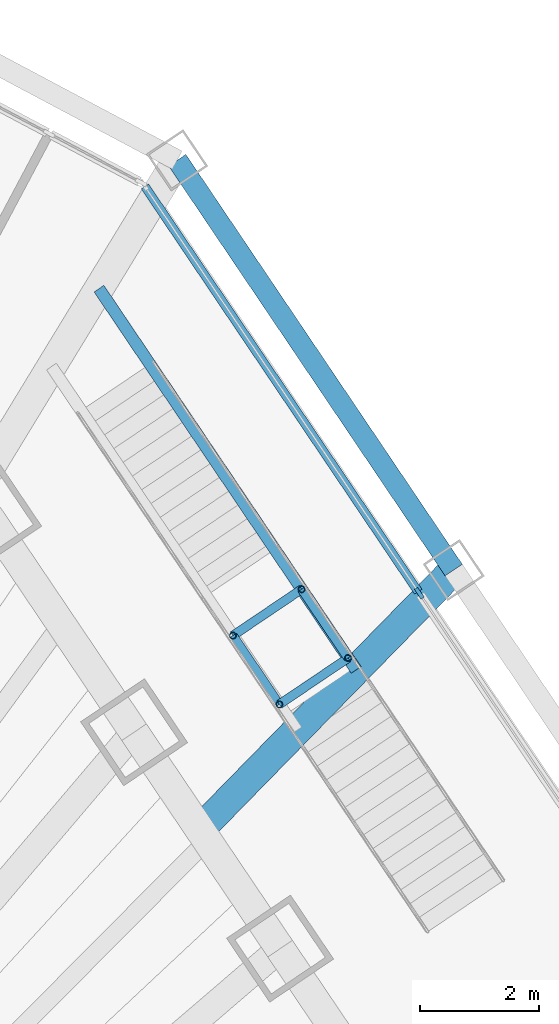
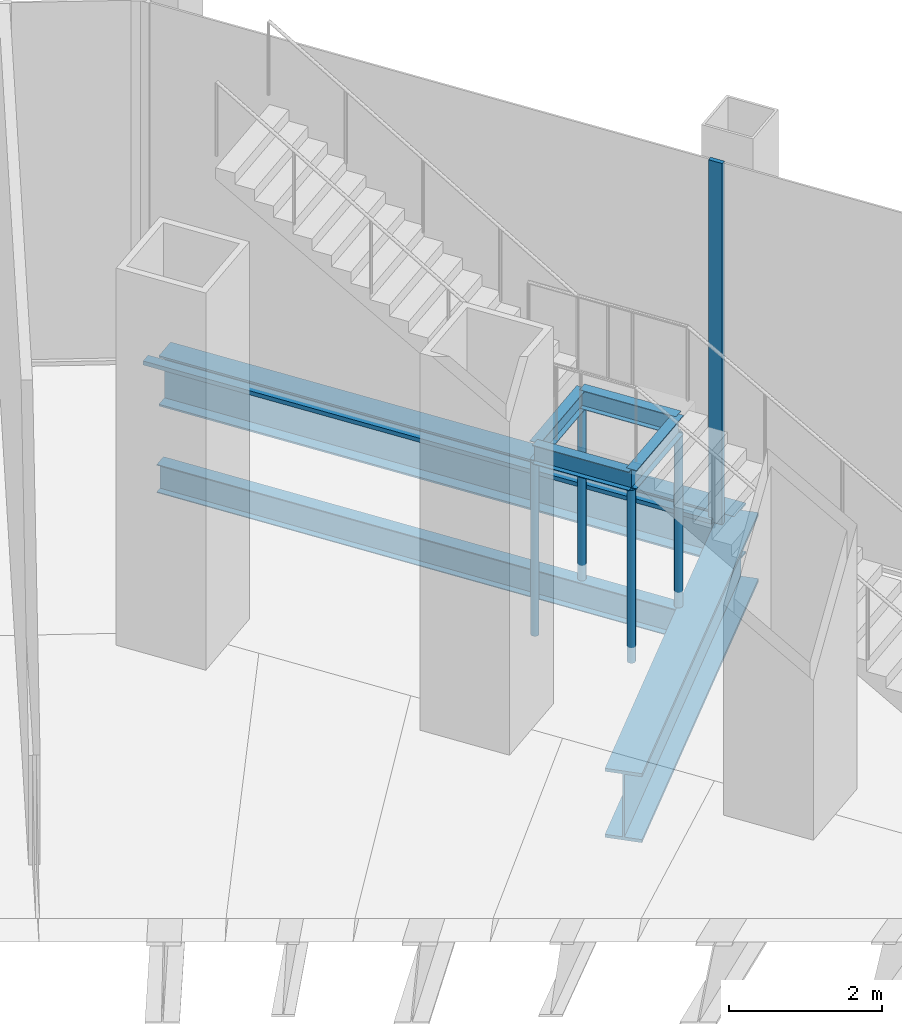
# One storey, part 12 of 23: 7 beams, 6 members, 1 element without a shape of its own.
"""IFC4 building model written with IfcOpenShell, lengths in metres."""

import ifcopenshell
import ifcopenshell.guid

model = None  # the IFC model being written
_history = None  # IfcOwnerHistory: only IFC2X3 demands one
_inside = {}  # id of a spatial element -> (the spatial element, [elements in it])
_under = {}  # id of a project, library or spatial element -> (it, [spatial elements below it])
_declared = {}  # id of a project -> (the project, [libraries it declares])
_typed = {}  # id of a type object -> (the type object, [elements of that type])
_made_of = {}  # id of a material, layer set ... -> (it, [elements and type objects made of it])


def new_model(schema):
    """Start an empty IFC model of exactly this schema.

    Asked for "IFC4X3", IfcOpenShell would pick the latest addendum, in which some entities
    have other attributes; the version numbers below select the first issue.
    IFC2X3 requires an IfcOwnerHistory on every rooted entity: one is made here for all.
    """
    global model, _history
    if schema == "IFC4X3":
        model = ifcopenshell.file(schema_version=(4, 3, 0, 0))
    else:
        model = ifcopenshell.file(schema=schema)
    _inside.clear()
    _under.clear()
    _declared.clear()
    _typed.clear()
    _made_of.clear()
    _history = None
    if model.schema == "IFC2X3":
        org = make("IfcOrganization", Name="unknown")
        user = make(
            "IfcPersonAndOrganization",
            ThePerson=make("IfcPerson", FamilyName="unknown"),
            TheOrganization=org,
        )
        app = make(
            "IfcApplication",
            ApplicationDeveloper=org,
            Version="unknown",
            ApplicationFullName="unknown",
            ApplicationIdentifier="unknown",
        )
        _history = make(
            "IfcOwnerHistory",
            OwningUser=user,
            OwningApplication=app,
            ChangeAction="ADDED",
            CreationDate=0,
        )
    return model


def make(cls, **values):
    """One entity of the class cls with the attributes given. An attribute that is None is left unset."""
    return model.create_entity(
        cls, **{name: value for name, value in values.items() if value is not None}
    )


def rooted(cls, **values):
    """An entity with a GlobalId (a new one), such as an element, a storey or a relation."""
    return make(cls, GlobalId=ifcopenshell.guid.new(), OwnerHistory=_history, **values)


def si_unit(unit_type, name, prefix=None):
    """IfcSIUnit, for example si_unit("LENGTHUNIT", "METRE", prefix="MILLI")."""
    return make("IfcSIUnit", UnitType=unit_type, Prefix=prefix, Name=name)


def assignment(units):
    """IfcUnitAssignment: the units of a project."""
    return None if units is None else make("IfcUnitAssignment", Units=units)


def point(xyz):
    """IfcCartesianPoint."""
    return None if xyz is None else make("IfcCartesianPoint", Coordinates=xyz)


def direction(xyz):
    """IfcDirection."""
    return None if xyz is None else make("IfcDirection", DirectionRatios=xyz)


def frame(location, z_axis=None, x_axis=None):
    """IfcAxis2Placement3D, a coordinate frame: its origin and axes. An axis left out is left unset."""
    return make(
        "IfcAxis2Placement3D",
        Location=point(location),
        Axis=direction(z_axis),
        RefDirection=direction(x_axis),
    )


def frame_2d(location, x_axis=None):
    """IfcAxis2Placement2D, a coordinate frame in the plane: its origin and x axis."""
    return make(
        "IfcAxis2Placement2D", Location=point(location), RefDirection=direction(x_axis)
    )


def origin():
    """The frame at (0, 0, 0) with its axes left unset."""
    return frame((0.0, 0.0, 0.0))


def origin_2d():
    """The frame at (0, 0) in the plane with its x axis left unset."""
    return frame_2d((0.0, 0.0))


def place(relative_to, where):
    """IfcLocalPlacement: puts the frame where relative to a parent placement (None: the world)."""
    return make(
        "IfcLocalPlacement", PlacementRelTo=relative_to, RelativePlacement=where
    )


def context(
    kind, dimensions, precision=None, world=None, true_north=None, identifier=None
):
    """IfcGeometricRepresentationContext, for example the 3D "Model" context."""
    return make(
        "IfcGeometricRepresentationContext",
        ContextIdentifier=identifier,
        ContextType=kind,
        CoordinateSpaceDimension=dimensions,
        Precision=precision,
        WorldCoordinateSystem=world,
        TrueNorth=true_north,
    )


def subcontext(parent, identifier, kind, view, scale=None):
    """IfcGeometricRepresentationSubContext, for example "Body" below "Model"."""
    return make(
        "IfcGeometricRepresentationSubContext",
        ContextIdentifier=identifier,
        ContextType=kind,
        ParentContext=parent,
        TargetScale=scale,
        TargetView=view,
    )


def project(units=None, contexts=None):
    """IfcProject with its units and contexts."""
    return rooted(
        "IfcProject",
        Name="project",
        RepresentationContexts=contexts,
        UnitsInContext=assignment(units),
    )


def spatial(cls, under=None, at=None, **own):
    """A site, building, storey or space (cls), placed at a placement, below another one or the project."""
    s = rooted(cls, ObjectPlacement=at, **own)
    if under is not None:
        _under.setdefault(under.id(), (under, []))[1].append(s)
    return s


def profile(cls, at=None, kind="AREA", **sizes):
    """A parametric profile (cls). Its sizes go by their IFC names, for example OverallWidth=200.0."""
    return make(cls, ProfileType=kind, Position=at, **sizes)


def rectangle(**sizes):
    """IfcRectangleProfileDef."""
    return profile("IfcRectangleProfileDef", **sizes)


def hollow_circle(**sizes):
    """IfcCircleHollowProfileDef."""
    return profile("IfcCircleHollowProfileDef", **sizes)


def i_section(**sizes):
    """IfcIShapeProfileDef."""
    return profile("IfcIShapeProfileDef", **sizes)


def extrude(swept, where, along, depth):
    """IfcExtrudedAreaSolid: the profile swept, set in the frame where, extruded along a direction by depth."""
    return make(
        "IfcExtrudedAreaSolid",
        SweptArea=swept,
        Position=where,
        ExtrudedDirection=direction(along),
        Depth=depth,
    )


def shape(context_of_items, identifier, shape_type, items):
    """IfcShapeRepresentation: the items that make up one representation, for example the "Body"."""
    return make(
        "IfcShapeRepresentation",
        ContextOfItems=context_of_items,
        RepresentationIdentifier=identifier,
        RepresentationType=shape_type,
        Items=items,
    )


def material(Name=None, Category=None):
    """IfcMaterial."""
    return make("IfcMaterial", Name=Name, Category=Category)


def material_profile(
    of_material, cross_section, Name=None, Category=None, Priority=None
):
    """IfcMaterialProfile: a cross section and its material."""
    return make(
        "IfcMaterialProfile",
        Name=Name,
        Material=of_material,
        Profile=cross_section,
        Priority=Priority,
        Category=Category,
    )


def profile_set(profiles, Name=None, composite=None):
    """IfcMaterialProfileSet."""
    return make(
        "IfcMaterialProfileSet",
        Name=Name,
        MaterialProfiles=profiles,
        CompositeProfile=composite,
    )


def made_of(thing, what):
    """Note that an element or type object is made of a material, layer set ...; save() writes the relation."""
    if what is not None:
        _made_of.setdefault(what.id(), (what, []))[1].append(thing)
    return thing


def type_object(cls, material=None, **own):
    """A type object (cls), such as IfcWallType, which elements share."""
    return made_of(rooted(cls, **own), material)


def element(
    cls,
    number,
    at=None,
    inside=None,
    cuts=None,
    type_object=None,
    material=None,
    context=None,
    identifier="Body",
    shape_type=None,
    held_by="IfcProductDefinitionShape",
    body=None,
    shapes=None,
    **own,
):
    """One element of the class cls, such as IfcWall. Its Tag is "e" and its number.

    at: its placement. inside: the storey or other place that contains it. cuts: it is an
    opening in that element (IfcRelVoidsElement). A single representation is given by context,
    identifier, shape_type and body (its items); several are given by shapes. held_by: the class
    of the entity that holds the representations. save() writes the other relations.
    """
    e = rooted(cls, Tag="e%d" % number, ObjectPlacement=at, **own)
    if body is not None:
        shapes = [shape(context, identifier, shape_type, body)]
    if shapes is not None:
        e.Representation = make(held_by, Representations=shapes)
    if inside is not None:
        _inside.setdefault(inside.id(), (inside, []))[1].append(e)
    if cuts is not None:
        rooted(
            "IfcRelVoidsElement", RelatingBuildingElement=cuts, RelatedOpeningElement=e
        )
    if type_object is not None:
        _typed.setdefault(type_object.id(), (type_object, []))[1].append(e)
    return made_of(e, material)


def aggregate(whole, parts):
    """IfcRelAggregates: a whole, such as a stair, and the parts it consists of."""
    return rooted("IfcRelAggregates", RelatingObject=whole, RelatedObjects=parts)


def save(model, path):
    """Write the relations noted so far, then the file.

    IfcRelAggregates (storeys below a building ...), IfcRelContainedInSpatialStructure (elements
    in a storey), IfcRelDefinesByType, IfcRelAssociatesMaterial and IfcRelDeclares: one each for
    every whole, place, type object, material and project.
    """
    for whole, parts in _under.values():
        aggregate(whole, parts)
    for where, things in _inside.values():
        rooted(
            "IfcRelContainedInSpatialStructure",
            RelatedElements=things,
            RelatingStructure=where,
        )
    for kind, things in _typed.values():
        rooted("IfcRelDefinesByType", RelatedObjects=things, RelatingType=kind)
    for what, things in _made_of.values():
        rooted("IfcRelAssociatesMaterial", RelatedObjects=things, RelatingMaterial=what)
    for by, libraries in _declared.values():
        rooted("IfcRelDeclares", RelatingContext=by, RelatedDefinitions=libraries)
    model.write(path)


model = new_model("IFC4")

# Units and contexts
model_context = context("Model", 3, precision=1e-05, world=origin(), true_north=direction((0.0, 1.0)))
body_context = subcontext(model_context, "Body", "Model", "MODEL_VIEW")
ifc_project = project(units=[si_unit("LENGTHUNIT", "METRE"), si_unit("AREAUNIT", "SQUARE_METRE"), si_unit("VOLUMEUNIT", "CUBIC_METRE"), si_unit("PLANEANGLEUNIT", "RADIAN"), si_unit("MASSUNIT", "GRAM", prefix="KILO")], contexts=[model_context])

# Site, building, storey
site_placement = place(None, origin())
site = spatial("IfcSite", under=ifc_project, at=site_placement, CompositionType="ELEMENT")
building_placement = place(site_placement, origin())
building = spatial("IfcBuilding", under=site, at=building_placement, Name="Qingtian Harvest Tower", CompositionType="ELEMENT")
storey_placement = place(building_placement, frame((0.0, 0.0, 6.0)))
storey = spatial("IfcBuildingStorey", under=building, at=storey_placement, Name="L01", CompositionType="ELEMENT", Elevation=6.0)

# Beams
ifc_material_1 = material(Name="Steel SM570MC", Category="steel")
ifc_material_profile_1 = material_profile(ifc_material_1, i_section(OverallWidth=0.5, OverallDepth=1.10009765625, WebThickness=0.02490234375, FlangeThickness=0.050048828125, at=origin_2d()), Name="H1100x500x25x50")
ifc_profile_set_1 = profile_set([ifc_material_profile_1], Name="Steel SM570MC")
beam_type_1 = type_object("IfcBeamType", Name="Floor beam FB6 H1100x500x25x50", PredefinedType="BEAM", material=ifc_profile_set_1)
beam_1_placement = place(storey_placement, frame((23.55322265625, 24.0947265625, -0.800048828125), z_axis=(-0.699031153274, -0.715091215686, 0.0), x_axis=(0.715091215686, -0.699031153274, 0.0)))
element("IfcBeam", 1, at=beam_1_placement, inside=storey, type_object=beam_type_1, Name="Podium floor beam FB6 NE1", PredefinedType="BEAM", context=body_context, shape_type="SweptSolid", body=[
    extrude(i_section(OverallWidth=0.5, OverallDepth=1.10009765625, WebThickness=0.02490234375, FlangeThickness=0.050048828125, at=origin_2d()), origin(), (0.0, 0.0, 1.0), 6.126220703125),
])
ifc_material_2 = material(Name="Steel SN490B", Category="steel")
ifc_material_profile_2 = material_profile(ifc_material_2, i_section(OverallWidth=0.14990234375, OverallDepth=0.300048828125, WebThickness=0.006591796875, FlangeThickness=0.009033203125, at=origin_2d()), Name="H300x150x6.5x9")
ifc_profile_set_2 = profile_set([ifc_material_profile_2], Name="Steel SN490B")
beam_type_2 = type_object("IfcBeamType", Name="Landing beam LB1 H300x150x6.5x9", PredefinedType="BEAM", material=ifc_profile_set_2)
for number, where, z_axis, x_axis, name in (
    (2, (21.771728515625, 22.611083984375, 2.64990234375), (-0.829006325125, -0.559239226899, 0.0), (0.559239226899, -0.829006325125, 0.0), "Landing beam LB1 FS3 1"),
    (3, (20.98876953125, 23.771728515625, 2.64990234375), (-0.829006325125, -0.559239226899, 0.0), (0.559239226899, -0.829006325125, 0.0), "Landing beam LB1 FS3 2"),
    (4, (21.771728515625, 22.611083984375, 2.64990234375), (-0.559239226899, 0.829006325125, 0.0), (-0.829006325125, -0.559239226899, 0.0), "Landing beam LB1 FS3 3"),
    (5, (20.611083984375, 21.828125, 2.64990234375), (-0.559239226899, 0.829006325125, 0.0), (-0.829006325125, -0.559239226899, 0.0), "Landing beam LB1 FS3 4"),
):
    element("IfcBeam", number, at=place(storey_placement, frame(where, z_axis=z_axis, x_axis=x_axis)), inside=storey, type_object=beam_type_2, Name=name, PredefinedType="BEAM", context=body_context, shape_type="SweptSolid", body=[
        extrude(i_section(OverallWidth=0.14990234375, OverallDepth=0.300048828125, WebThickness=0.006591796875, FlangeThickness=0.009033203125, at=origin_2d()), origin(), (0.0, 0.0, 1.0), 1.400146484375),
    ])

# Members
ifc_material_3 = material(Name="Steel SN490B", Category="steel")
ifc_material_profile_3 = material_profile(ifc_material_3, hollow_circle(Radius=0.05712890625, WallThickness=0.00634765625, at=origin_2d()), Name="CHS114.3x6.3")
ifc_profile_set_3 = profile_set([ifc_material_profile_3], Name="Steel SN490B")
member_type_1 = type_object("IfcMemberType", Name="Landing post LP1 CHS114.3x6.3", PredefinedType="POST", material=ifc_profile_set_3)
for number, where, z_axis, x_axis, name in (
    (6, (21.771728515625, 22.611083984375, -0.25), (0.0, 0.0, 1.0), (1.0, 0.0, 0.0), "Landing post LP1 FS3 1"),
    (7, (20.611083984375, 21.828125, -0.25), (0.0, 0.0, 1.0), (1.0, 0.0, 0.0), "Landing post LP1 FS3 2"),
    (8, (20.98876953125, 23.771728515625, -0.25), (0.0, 0.0, 1.0), (1.0, 0.0, 0.0), "Landing post LP1 FS3 3"),
    (9, (19.828125, 22.98876953125, -0.25), (0.0, 0.0, 1.0), (1.0, 0.0, 0.0), "Landing post LP1 FS3 4"),
):
    element("IfcMember", number, at=place(storey_placement, frame(where, z_axis=z_axis, x_axis=x_axis)), inside=storey, type_object=member_type_1, Name=name, PredefinedType="POST", context=body_context, shape_type="SweptSolid", body=[
        extrude(hollow_circle(Radius=0.05712890625, WallThickness=0.00634765625, at=origin_2d()), origin(), (0.0, 0.0, 1.0), 2.75),
    ])

# Curtain wall, member
ifc_material_4 = material(Name="Bronze-anodised aluminium curtain wall", Category="aluminium")
curtain_wall_type = type_object("IfcCurtainWallType", Name="Curtain wall CW1 podium shopfront", PredefinedType="USERDEFINED", material=ifc_material_4)
curtain_wall_placement = place(storey_placement, origin())
curtain_wall = element("IfcCurtainWall", 10, at=curtain_wall_placement, inside=storey, type_object=curtain_wall_type, Name="Curtain wall CW1 L01 NE0-1", ObjectType="RECESSED CURTAIN WALL", PredefinedType="USERDEFINED")
ifc_material_5 = material(Name="Bronze-anodised aluminium mullion", Category="aluminium")
ifc_material_profile_4 = material_profile(ifc_material_5, rectangle(XDim=0.06494140625, YDim=0.199951171875, at=origin_2d()), Name="AL 65x200")
ifc_profile_set_4 = profile_set([ifc_material_profile_4], Name="Bronze-anodised aluminium mullion")
member_type_2 = type_object("IfcMemberType", Name="Mullion CWM 65x200", PredefinedType="MULLION", material=ifc_profile_set_4)
member_1_placement = place(storey_placement, frame((22.972900390625, 23.703125, 0.0), z_axis=(0.0, 0.0, 1.0), x_axis=(0.829037572555, 0.559192903471, 0.0)))
member_1 = element("IfcMember", 11, at=member_1_placement, type_object=member_type_2, Name="CW1 mullion 2", PredefinedType="MULLION", context=body_context, shape_type="SweptSolid", body=[
    extrude(rectangle(XDim=0.06494140625, YDim=0.199951171875, at=origin_2d()), origin(), (0.0, 0.0, 1.0), 5.75),
])

# Beams
ifc_material_6 = material(Name="Steel SN490B", Category="steel")
ifc_material_profile_5 = material_profile(ifc_material_6, i_section(OverallWidth=0.35009765625, OverallDepth=0.800048828125, WebThickness=0.01611328125, FlangeThickness=0.028076171875, at=origin_2d()), Name="H800x350x16x28")
ifc_profile_set_5 = profile_set([ifc_material_profile_5], Name="Steel SN490B")
beam_type_3 = type_object("IfcBeamType", Name="Podium beam PB1 H800x350x16x28", PredefinedType="BEAM", material=ifc_profile_set_5)
beam_2_placement = place(storey_placement, frame((18.888427734375, 31.01025390625, -0.64990234375), z_axis=(0.559210439086, -0.829025744363, 0.0), x_axis=(0.829025744363, 0.559210439086, 0.0)))
element("IfcBeam", 12, at=beam_2_placement, inside=storey, type_object=beam_type_3, Name="Podium edge beam PB1 NE0", PredefinedType="BEAM", context=body_context, shape_type="SweptSolid", body=[
    extrude(i_section(OverallWidth=0.35009765625, OverallDepth=0.800048828125, WebThickness=0.01611328125, FlangeThickness=0.028076171875, at=origin_2d()), origin(), (0.0, 0.0, 1.0), 8.341796875),
])
ifc_material_7 = material(Name="Steel SN490B", Category="steel")
ifc_material_profile_6 = material_profile(ifc_material_7, i_section(OverallWidth=0.199951171875, OverallDepth=0.449951171875, WebThickness=0.009033203125, FlangeThickness=0.013916015625, at=origin_2d()), Name="H450x200x9x14")
ifc_profile_set_6 = profile_set([ifc_material_profile_6], Name="Steel SN490B")
beam_type_4 = type_object("IfcBeamType", Name="Stair support beam SSB1 H450x200x9x14", PredefinedType="BEAM", material=ifc_profile_set_6)
beam_3_placement = place(storey_placement, frame((21.906982421875, 22.41064453125, -0.47509765625), z_axis=(-0.55918693675, 0.829041597128, 0.0), x_axis=(-0.829041597128, -0.55918693675, 0.0)))
element("IfcBeam", 13, at=beam_3_placement, inside=storey, type_object=beam_type_4, Name="Stair support beam SSB1 FS3 L", PredefinedType="BEAM", context=body_context, shape_type="SweptSolid", body=[
    extrude(i_section(OverallWidth=0.199951171875, OverallDepth=0.449951171875, WebThickness=0.009033203125, FlangeThickness=0.013916015625, at=origin_2d()), origin(), (0.0, 0.0, 1.0), 7.7587890625),
])

# Member
ifc_material_8 = material(Name="Bronze-anodised aluminium transom", Category="aluminium")
ifc_material_profile_7 = material_profile(ifc_material_8, rectangle(XDim=0.14990234375, YDim=0.06494140625, at=origin_2d()), Name="AL 65x150")
ifc_profile_set_7 = profile_set([ifc_material_profile_7], Name="Bronze-anodised aluminium transom")
member_type_3 = type_object("IfcMemberType", Name="Transom CWT 65x150", PredefinedType="USERDEFINED", material=ifc_profile_set_7)
member_2_placement = place(storey_placement, frame((18.344482421875, 30.56494140625, 0.032470703125), z_axis=(0.559195632295, -0.829035731933, 0.0), x_axis=(0.829035731933, 0.559195632295, 0.0)))
member_2 = element("IfcMember", 14, at=member_2_placement, type_object=member_type_3, Name="CW1 transom 1.1", ObjectType="TRANSOM", PredefinedType="USERDEFINED", context=body_context, shape_type="SweptSolid", body=[
    extrude(rectangle(XDim=0.14990234375, YDim=0.06494140625, at=origin_2d()), origin(), (0.0, 0.0, 1.0), 8.244140625),
])

aggregate(curtain_wall, [member_1, member_2])

save(model, "model.ifc")
